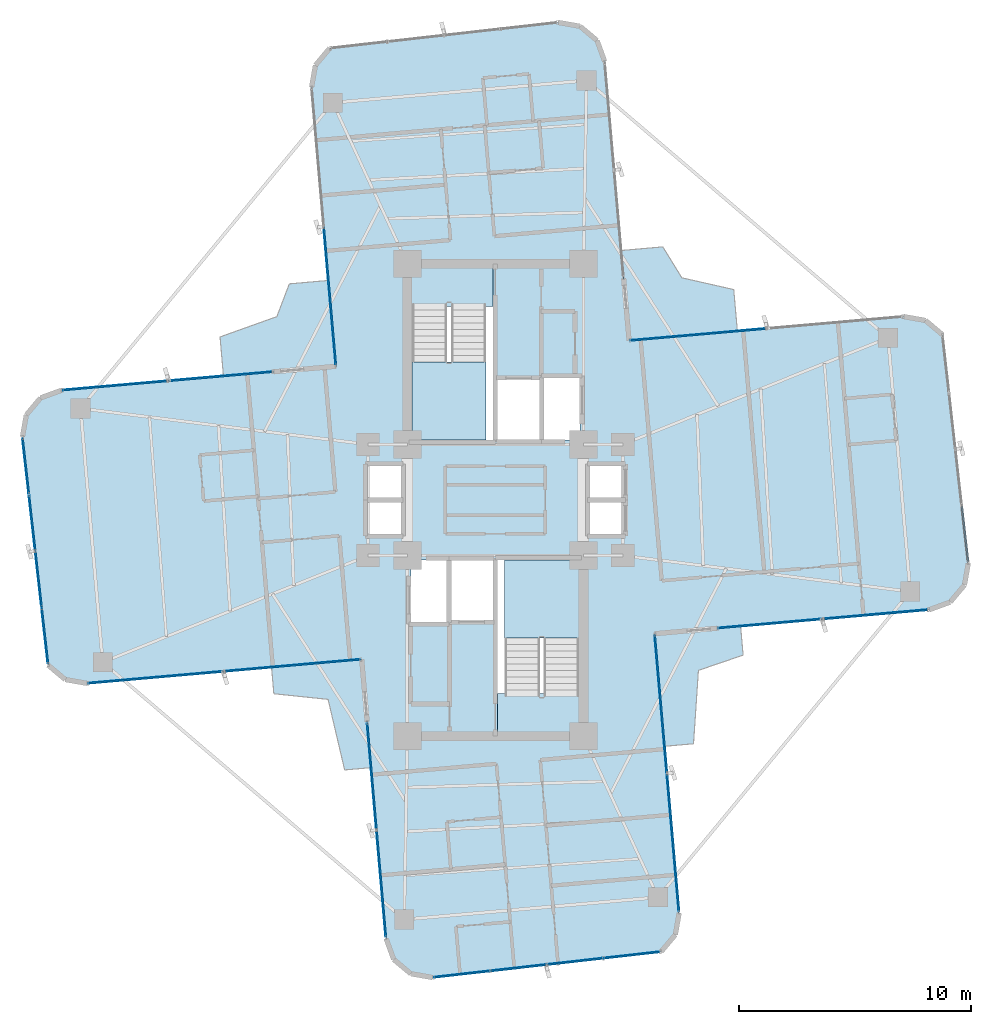
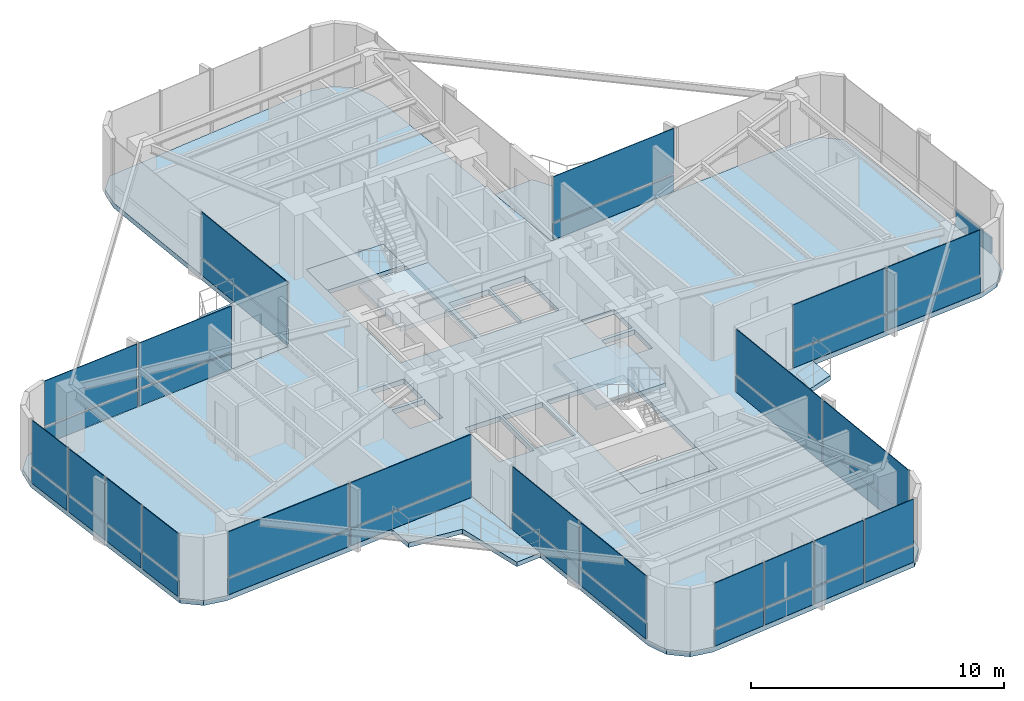
# One storey, part 19 of 24: 41 plates, 9 slabs, 12 elements without a shape of their own.
"""IFC4 building model written with IfcOpenShell, lengths in metres."""

from ifc_helpers import new_model, si_unit, direction, frame, origin, origin_2d, place, context, subcontext, project, spatial, polyline, rectangle, outline, extrude, source, transform, mapped, material, layer, layer_set, type_object, element, aggregate, save


model = new_model("IFC4")

# Units and contexts
model_context = context("Model", 3, precision=1e-05, world=origin(), true_north=direction((0.0, 1.0)))
body_context = subcontext(model_context, "Body", "Model", "MODEL_VIEW")
ifc_project = project(units=[si_unit("LENGTHUNIT", "METRE"), si_unit("AREAUNIT", "SQUARE_METRE"), si_unit("VOLUMEUNIT", "CUBIC_METRE"), si_unit("PLANEANGLEUNIT", "RADIAN"), si_unit("MASSUNIT", "GRAM", prefix="KILO")], contexts=[model_context])

# Site, building, storey
site_placement = place(None, origin())
site = spatial("IfcSite", under=ifc_project, at=site_placement, CompositionType="ELEMENT")
building_placement = place(site_placement, origin())
building = spatial("IfcBuilding", under=site, at=building_placement, Name="Sahyath Konkavel Grand Hotel", CompositionType="ELEMENT")
storey_placement = place(building_placement, frame((0.0, 0.0, 157.300048828125)))
storey = spatial("IfcBuildingStorey", under=building, at=storey_placement, Name="L43", CompositionType="ELEMENT", Elevation=157.300048828125)

# Slabs
ifc_material_1 = material(Name="Concrete C40/50", Category="concrete")
ifc_layer_1 = layer(ifc_material_1, 0.239990234375)
ifc_layer_set_1 = layer_set([ifc_layer_1], Name="Concrete C40/50")
slab_type_1 = type_object("IfcSlabType", Name="SLB-240", PredefinedType="FLOOR", material=ifc_layer_set_1)
slab_1_placement = place(storey_placement, frame((0.0, 0.0, -0.239990234375)))
element("IfcSlab", 1, at=slab_1_placement, inside=storey, type_object=slab_type_1, Name="L43 Structural Floor Slab", PredefinedType="FLOOR", context=body_context, shape_type="SweptSolid", body=[
    extrude(outline(polyline([(6.87939453125, -5.7724609375), (18.73388671875, -4.735107421875), (19.6337890625, -4.40771484375), (20.24951171875, -3.674072265625), (20.415771484375, -2.73095703125), (19.3037109375, 7.134521484375), (18.5703125, 7.75), (17.627197265625, 7.91650390625), (5.7724609375, 6.87939453125), (4.7177734375, 18.93310546875), (4.390380859375, 19.8330078125), (3.65673828125, 20.44873046875), (2.713623046875, 20.614990234375), (-7.152099609375, 19.5029296875), (-7.767578125, 18.769287109375), (-7.933837890625, 17.826416015625), (-6.87939453125, 5.7724609375), (-18.73388671875, 4.735107421875), (-19.6337890625, 4.40771484375), (-20.24951171875, 3.674072265625), (-20.415771484375, 2.73095703125), (-19.3037109375, -7.134521484375), (-18.5703125, -7.75), (-17.627197265625, -7.91650390625), (-5.7724609375, -6.87939453125), (-4.7177734375, -18.93310546875), (-4.390380859375, -19.8330078125), (-3.65673828125, -20.44873046875), (-2.713623046875, -20.614990234375), (7.152099609375, -19.5029296875), (7.767578125, -18.769287109375), (7.933837890625, -17.826416015625), (6.87939453125, -5.7724609375)]), holes=[polyline([(-3.6201171875, 2.580078125), (-0.10009765625, 2.580078125), (-0.10009765625, 10.02001953125), (-3.6201171875, 10.02001953125), (-3.6201171875, 2.580078125)]), polyline([(0.10009765625, -10.02001953125), (3.6201171875, -10.02001953125), (3.6201171875, -2.580078125), (0.10009765625, -2.580078125), (0.10009765625, -10.02001953125)]), polyline([(0.10009765625, 2.60009765625), (1.949951171875, 2.60009765625), (1.949951171875, 5.199951171875), (0.10009765625, 5.199951171875), (0.10009765625, 2.60009765625)]), polyline([(-1.949951171875, -5.199951171875), (-0.10009765625, -5.199951171875), (-0.10009765625, -2.60009765625), (-1.949951171875, -2.60009765625), (-1.949951171875, -5.199951171875)]), polyline([(2.050048828125, 2.60009765625), (3.64990234375, 2.60009765625), (3.64990234375, 5.300048828125), (2.050048828125, 5.300048828125), (2.050048828125, 2.60009765625)]), polyline([(-3.64990234375, -5.300048828125), (-2.050048828125, -5.300048828125), (-2.050048828125, -2.60009765625), (-3.64990234375, -2.60009765625), (-3.64990234375, -5.300048828125)]), polyline([(4.050048828125, 0.080078125), (5.550048828125, 0.080078125), (5.550048828125, 1.5400390625), (4.050048828125, 1.5400390625), (4.050048828125, 0.080078125)]), polyline([(4.050048828125, -1.5400390625), (5.550048828125, -1.5400390625), (5.550048828125, -0.080078125), (4.050048828125, -0.080078125), (4.050048828125, -1.5400390625)]), polyline([(-5.550048828125, 0.080078125), (-4.050048828125, 0.080078125), (-4.050048828125, 1.5400390625), (-5.550048828125, 1.5400390625), (-5.550048828125, 0.080078125)]), polyline([(-5.550048828125, -1.5400390625), (-4.050048828125, -1.5400390625), (-4.050048828125, -0.080078125), (-5.550048828125, -0.080078125), (-5.550048828125, -1.5400390625)])]), origin(), (0.0, 0.0, 1.0), 0.239990234375),
])
ifc_layer_2 = layer(ifc_material_1, 0.219970703125)
ifc_layer_set_2 = layer_set([ifc_layer_2], Name="Concrete C40/50")
slab_type_2 = type_object("IfcSlabType", Name="SLB-BALCONY-220", PredefinedType="FLOOR", material=ifc_layer_set_2)
slab_2_placement = place(storey_placement, frame((0.0, 0.0, -0.219970703125)))
element("IfcSlab", 2, at=slab_2_placement, inside=storey, type_object=slab_type_2, Name="L43 Winter-Garden Balcony NE", PredefinedType="FLOOR", context=body_context, shape_type="SweptSolid", body=[
    extrude(outline(polyline([(5.7724609375, 6.87939453125), (10.447509765625, 7.288330078125), (10.290283203125, 9.0849609375), (8.049560546875, 9.593017578125), (7.228515625, 10.9287109375), (5.431884765625, 10.771484375), (5.7724609375, 6.87939453125)])), origin(), (0.0, 0.0, 1.0), 0.219970703125),
])
slab_3_placement = place(storey_placement, frame((0.0, 0.0, -0.219970703125)))
element("IfcSlab", 3, at=slab_3_placement, inside=storey, type_object=slab_type_2, Name="L43 Winter-Garden Balcony NW", PredefinedType="FLOOR", context=body_context, shape_type="SweptSolid", body=[
    extrude(outline(polyline([(-6.87939453125, 5.7724609375), (-7.20361328125, 9.479248046875), (-8.8955078125, 9.331298828125), (-9.434814453125, 7.916748046875), (-11.8876953125, 7.039306640625), (-11.73974609375, 5.34716796875), (-6.87939453125, 5.7724609375)])), origin(), (0.0, 0.0, 1.0), 0.219970703125),
])
slab_4_placement = place(storey_placement, frame((0.0, 0.0, -0.219970703125)))
element("IfcSlab", 4, at=slab_4_placement, inside=storey, type_object=slab_type_2, Name="L43 Winter-Garden Balcony SW", PredefinedType="FLOOR", context=body_context, shape_type="SweptSolid", body=[
    extrude(outline(polyline([(-5.7724609375, -6.87939453125), (-9.66455078125, -7.2197265625), (-9.564453125, -8.36376953125), (-7.222412109375, -8.607177734375), (-6.50732421875, -11.654541015625), (-5.36328125, -11.554443359375), (-5.7724609375, -6.87939453125)])), origin(), (0.0, 0.0, 1.0), 0.219970703125),
])
slab_5_placement = place(storey_placement, frame((0.0, 0.0, -0.219970703125)))
element("IfcSlab", 5, at=slab_5_placement, inside=storey, type_object=slab_type_2, Name="L43 Winter-Garden Balcony SE", PredefinedType="FLOOR", context=body_context, shape_type="SweptSolid", body=[
    extrude(outline(polyline([(6.87939453125, -5.7724609375), (7.304443359375, -10.6328125), (8.55322265625, -10.523681640625), (8.765380859375, -7.35498046875), (10.6953125, -6.69677734375), (10.586181640625, -5.447998046875), (6.87939453125, -5.7724609375)])), origin(), (0.0, 0.0, 1.0), 0.219970703125),
])

# Stair, slab
stair_type = type_object("IfcStairType", Name="STR-ST16-335", PredefinedType="HALF_TURN_STAIR", material=ifc_material_1)
stair_1_placement = place(storey_placement, origin())
stair_1 = element("IfcStair", 6, at=stair_1_placement, inside=storey, type_object=stair_type, Name="L43 North Core Smokeproof Exit Stair ST-1", PredefinedType="HALF_TURN_STAIR")
ifc_layer_3 = layer(ifc_material_1, 0.199951171875)
ifc_layer_set_3 = layer_set([ifc_layer_3], Name="Concrete C40/50")
slab_type_3 = type_object("IfcSlabType", Name="SLB-STAIR-LND", PredefinedType="LANDING", material=ifc_layer_set_3)
slab_6_placement = place(storey_placement, frame((0.0, 0.0, 1.474853515625)))
slab_6 = element("IfcSlab", 7, at=slab_6_placement, type_object=slab_type_3, Name="ST-1 landing 1", PredefinedType="LANDING", context=body_context, shape_type="SweptSolid", body=[
    extrude(outline(polyline([(-3.60009765625, 5.9599609375), (-3.60009765625, 2.60009765625), (-0.39990234375, 2.60009765625), (-0.39990234375, 5.9599609375), (-3.60009765625, 5.9599609375)])), origin(), (0.0, 0.0, 1.0), 0.2001953125),
])
aggregate(stair_1, [slab_6])

stair_2_placement = place(storey_placement, origin())
stair_2 = element("IfcStair", 8, at=stair_2_placement, inside=storey, type_object=stair_type, Name="L43 South Core Smokeproof Exit Stair ST-2", PredefinedType="HALF_TURN_STAIR")
slab_7_placement = place(storey_placement, frame((0.0, 0.0, 1.474853515625)))
slab_7 = element("IfcSlab", 9, at=slab_7_placement, type_object=slab_type_3, Name="ST-2 landing 1", PredefinedType="LANDING", context=body_context, shape_type="SweptSolid", body=[
    extrude(outline(polyline([(3.60009765625, -5.9599609375), (3.60009765625, -2.60009765625), (0.39990234375, -2.60009765625), (0.39990234375, -5.9599609375), (3.60009765625, -5.9599609375)])), origin(), (0.0, 0.0, 1.0), 0.2001953125),
])
aggregate(stair_2, [slab_7])

# Slabs
slab_8_placement = place(storey_placement, frame((0.0, 0.0, -0.199951171875)))
element("IfcSlab", 10, at=slab_8_placement, inside=storey, type_object=slab_type_3, Name="L43 Stair ST-1 Floor Landing Slab", PredefinedType="LANDING", context=body_context, shape_type="SweptSolid", body=[
    extrude(outline(polyline([(-3.6201171875, 8.35009765625), (-0.10009765625, 8.35009765625), (-0.10009765625, 10.02001953125), (-3.6201171875, 10.02001953125), (-3.6201171875, 8.35009765625)])), origin(), (0.0, 0.0, 1.0), 0.199951171875),
])
slab_9_placement = place(storey_placement, frame((0.0, 0.0, -0.199951171875)))
element("IfcSlab", 11, at=slab_9_placement, inside=storey, type_object=slab_type_3, Name="L43 Stair ST-2 Floor Landing Slab", PredefinedType="LANDING", context=body_context, shape_type="SweptSolid", body=[
    extrude(outline(polyline([(0.10009765625, -10.02001953125), (3.6201171875, -10.02001953125), (3.6201171875, -8.35009765625), (0.10009765625, -8.35009765625), (0.10009765625, -10.02001953125)])), origin(), (0.0, 0.0, 1.0), 0.199951171875),
])

# Curtain wall, plates
ifc_material_2 = material(Name="Anodised Bronze Aluminium & Low-E Glazing", Category="aluminium")
curtain_wall_type = type_object("IfcCurtainWallType", Name="CW-ZONE3", PredefinedType="NOTDEFINED", material=ifc_material_2)
curtain_wall_1_placement = place(storey_placement, origin())
curtain_wall_1 = element("IfcCurtainWall", 12, at=curtain_wall_1_placement, inside=storey, type_object=curtain_wall_type, Name="L43 Unitised Curtain Wall F0", PredefinedType="NOTDEFINED")
ifc_material_3 = material(Name="Warm Buff Sandstone Cladding", Category="masonry")
ifc_layer_4 = layer(ifc_material_3, 0.074951171875)
ifc_layer_set_4 = layer_set([ifc_layer_4], Name="Warm Buff Sandstone Cladding")
plate_type_1 = type_object("IfcPlateType", Name="PNL-SPANDREL-STONE", PredefinedType="SHEET", material=ifc_layer_set_4)
shared_shape_1 = source(origin(), body_context, "Body", "SweptSolid", [
    extrude(rectangle(XDim=4.47998046875, YDim=0.074951171875, at=origin_2d()), origin(), (0.0, 0.0, 1.0), 0.77001953125),
])
plate_1_placement = place(storey_placement, frame((11.880126953125, -5.334716796875, 0.0400390625), z_axis=(0.0, 0.0, 1.0), x_axis=(0.996194698092, 0.087155742748, 0.0)))
plate_1 = element("IfcPlate", 13, at=plate_1_placement, type_object=plate_type_1, Name="L43 Sandstone Relief Spandrel Panel F0-0", PredefinedType="SHEET", context=body_context, shape_type="MappedRepresentation", body=[
    mapped(shared_shape_1, transform((0.0, 0.0, 0.0), scale=1.0)),
])
plate_2_placement = place(storey_placement, frame((16.4228515625, -4.9375, 0.0400390625), z_axis=(0.0, 0.0, 1.0), x_axis=(0.996194698092, 0.087155742748, 0.0)))
plate_2 = element("IfcPlate", 14, at=plate_2_placement, type_object=plate_type_1, Name="L43 Sandstone Relief Spandrel Panel F0-1", PredefinedType="SHEET", context=body_context, shape_type="MappedRepresentation", body=[
    mapped(shared_shape_1, transform((0.0, 0.0, 0.0), scale=1.0)),
])

curtain_wall_2_placement = place(storey_placement, origin())
curtain_wall_2 = element("IfcCurtainWall", 15, at=curtain_wall_2_placement, inside=storey, type_object=curtain_wall_type, Name="L43 Unitised Curtain Wall F16", PredefinedType="NOTDEFINED")
plate_3_placement = place(storey_placement, frame((-11.880126953125, 5.334716796875, 0.0400390625), z_axis=(0.0, 0.0, 1.0), x_axis=(-0.996194698092, -0.087155742748, 0.0)))
plate_3 = element("IfcPlate", 16, at=plate_3_placement, type_object=plate_type_1, Name="L43 Sandstone Relief Spandrel Panel F16-0", PredefinedType="SHEET", context=body_context, shape_type="MappedRepresentation", body=[
    mapped(shared_shape_1, transform((0.0, 0.0, 0.0), scale=1.0)),
])
plate_4_placement = place(storey_placement, frame((-16.4228515625, 4.9375, 0.0400390625), z_axis=(0.0, 0.0, 1.0), x_axis=(-0.996194698092, -0.087155742748, 0.0)))
plate_4 = element("IfcPlate", 17, at=plate_4_placement, type_object=plate_type_1, Name="L43 Sandstone Relief Spandrel Panel F16-1", PredefinedType="SHEET", context=body_context, shape_type="MappedRepresentation", body=[
    mapped(shared_shape_1, transform((0.0, 0.0, 0.0), scale=1.0)),
])

# Curtain wall, plate
curtain_wall_3_placement = place(storey_placement, origin())
curtain_wall_3 = element("IfcCurtainWall", 18, at=curtain_wall_3_placement, inside=storey, type_object=curtain_wall_type, Name="L43 Unitised Curtain Wall F4", PredefinedType="NOTDEFINED")
shared_shape_2 = source(origin(), body_context, "Body", "SweptSolid", [
    extrude(rectangle(XDim=2.382080078125, YDim=0.074951171875, at=origin_2d()), origin(), (0.0, 0.0, 1.0), 0.77001953125),
])
plate_5_placement = place(storey_placement, frame((20.2734375, -1.468017578125, 0.0400390625), z_axis=(0.0, 0.0, 1.0), x_axis=(-0.111989252568, 0.993709417943, 0.0)))
plate_5 = element("IfcPlate", 19, at=plate_5_placement, type_object=plate_type_1, Name="L43 Sandstone Relief Spandrel Panel F4-0", PredefinedType="SHEET", context=body_context, shape_type="MappedRepresentation", body=[
    mapped(shared_shape_2, transform((0.0, 0.0, 0.0), scale=1.0)),
])
aggregate(curtain_wall_3, [plate_5])

# Curtain wall, plates
curtain_wall_4_placement = place(storey_placement, origin())
curtain_wall_4 = element("IfcCurtainWall", 20, at=curtain_wall_4_placement, inside=storey, type_object=curtain_wall_type, Name="L43 Unitised Curtain Wall F20", PredefinedType="NOTDEFINED")
plate_6_placement = place(storey_placement, frame((-20.2734375, 1.468017578125, 0.0400390625), z_axis=(0.0, 0.0, 1.0), x_axis=(0.111989252568, -0.993709417943, 0.0)))
plate_6 = element("IfcPlate", 21, at=plate_6_placement, type_object=plate_type_1, Name="L43 Sandstone Relief Spandrel Panel F20-0", PredefinedType="SHEET", context=body_context, shape_type="MappedRepresentation", body=[
    mapped(shared_shape_2, transform((0.0, 0.0, 0.0), scale=1.0)),
])
plate_7_placement = place(storey_placement, frame((-19.99755859375, -0.978515625, 0.0400390625), z_axis=(0.0, 0.0, 1.0), x_axis=(0.111989252568, -0.993709417943, 0.0)))
plate_7 = element("IfcPlate", 22, at=plate_7_placement, type_object=plate_type_1, Name="L43 Sandstone Relief Spandrel Panel F20-1", PredefinedType="SHEET", context=body_context, shape_type="MappedRepresentation", body=[
    mapped(shared_shape_2, transform((0.0, 0.0, 0.0), scale=1.0)),
])
plate_8_placement = place(storey_placement, frame((-19.7216796875, -3.425048828125, 0.0400390625), z_axis=(0.0, 0.0, 1.0), x_axis=(0.111989252568, -0.993709417943, 0.0)))
plate_8 = element("IfcPlate", 23, at=plate_8_placement, type_object=plate_type_1, Name="L43 Sandstone Relief Spandrel Panel F20-2", PredefinedType="SHEET", context=body_context, shape_type="MappedRepresentation", body=[
    mapped(shared_shape_2, transform((0.0, 0.0, 0.0), scale=1.0)),
])
plate_9_placement = place(storey_placement, frame((-19.446044921875, -5.87158203125, 0.0400390625), z_axis=(0.0, 0.0, 1.0), x_axis=(0.111989252568, -0.993709417943, 0.0)))
plate_9 = element("IfcPlate", 24, at=plate_9_placement, type_object=plate_type_1, Name="L43 Sandstone Relief Spandrel Panel F20-3", PredefinedType="SHEET", context=body_context, shape_type="MappedRepresentation", body=[
    mapped(shared_shape_2, transform((0.0, 0.0, 0.0), scale=1.0)),
])

curtain_wall_5_placement = place(storey_placement, origin())
curtain_wall_5 = element("IfcCurtainWall", 25, at=curtain_wall_5_placement, inside=storey, type_object=curtain_wall_type, Name="L43 Unitised Curtain Wall F28", PredefinedType="NOTDEFINED")
plate_10_placement = place(storey_placement, frame((-1.45068359375, -20.47265625, 0.0400390625), z_axis=(0.0, 0.0, 1.0), x_axis=(0.993707463211, 0.112006596052, 0.0)))
plate_10 = element("IfcPlate", 26, at=plate_10_placement, type_object=plate_type_1, Name="L43 Sandstone Relief Spandrel Panel F28-0", PredefinedType="SHEET", context=body_context, shape_type="MappedRepresentation", body=[
    mapped(shared_shape_2, transform((0.0, 0.0, 0.0), scale=1.0)),
])
plate_11_placement = place(storey_placement, frame((0.995849609375, -20.197021484375, 0.0400390625), z_axis=(0.0, 0.0, 1.0), x_axis=(0.993707463211, 0.112006596052, 0.0)))
plate_11 = element("IfcPlate", 27, at=plate_11_placement, type_object=plate_type_1, Name="L43 Sandstone Relief Spandrel Panel F28-1", PredefinedType="SHEET", context=body_context, shape_type="MappedRepresentation", body=[
    mapped(shared_shape_2, transform((0.0, 0.0, 0.0), scale=1.0)),
])
plate_12_placement = place(storey_placement, frame((3.4423828125, -19.921142578125, 0.0400390625), z_axis=(0.0, 0.0, 1.0), x_axis=(0.993707463211, 0.112006596052, 0.0)))
plate_12 = element("IfcPlate", 28, at=plate_12_placement, type_object=plate_type_1, Name="L43 Sandstone Relief Spandrel Panel F28-2", PredefinedType="SHEET", context=body_context, shape_type="MappedRepresentation", body=[
    mapped(shared_shape_2, transform((0.0, 0.0, 0.0), scale=1.0)),
])
plate_13_placement = place(storey_placement, frame((5.888916015625, -19.6455078125, 0.0400390625), z_axis=(0.0, 0.0, 1.0), x_axis=(0.993707463211, 0.112006596052, 0.0)))
plate_13 = element("IfcPlate", 29, at=plate_13_placement, type_object=plate_type_1, Name="L43 Sandstone Relief Spandrel Panel F28-3", PredefinedType="SHEET", context=body_context, shape_type="MappedRepresentation", body=[
    mapped(shared_shape_2, transform((0.0, 0.0, 0.0), scale=1.0)),
])

# Curtain wall, plate
curtain_wall_6_placement = place(storey_placement, origin())
curtain_wall_6 = element("IfcCurtainWall", 30, at=curtain_wall_6_placement, inside=storey, type_object=curtain_wall_type, Name="L43 Unitised Curtain Wall F7", PredefinedType="NOTDEFINED")
shared_shape_3 = source(origin(), body_context, "Body", "SweptSolid", [
    extrude(rectangle(XDim=5.830078125, YDim=0.074951171875, at=origin_2d()), origin(), (0.0, 0.0, 1.0), 0.77001953125),
])
plate_14_placement = place(storey_placement, frame((8.756103515625, 7.140380859375, 0.0400390625), z_axis=(0.0, 0.0, 1.0), x_axis=(-0.996194698092, -0.087155742748, 0.0)))
plate_14 = element("IfcPlate", 31, at=plate_14_placement, type_object=plate_type_1, Name="L43 Sandstone Relief Spandrel Panel F7-1", PredefinedType="SHEET", context=body_context, shape_type="MappedRepresentation", body=[
    mapped(shared_shape_3, transform((0.0, 0.0, 0.0), scale=1.0)),
])

# Curtain wall, plates
curtain_wall_7_placement = place(storey_placement, origin())
curtain_wall_7 = element("IfcCurtainWall", 32, at=curtain_wall_7_placement, inside=storey, type_object=curtain_wall_type, Name="L43 Unitised Curtain Wall F23", PredefinedType="NOTDEFINED")
plate_15_placement = place(storey_placement, frame((-14.6435546875, -7.655517578125, 0.0400390625), z_axis=(0.0, 0.0, 1.0), x_axis=(0.996194698092, 0.087155742748, 0.0)))
plate_15 = element("IfcPlate", 33, at=plate_15_placement, type_object=plate_type_1, Name="L43 Sandstone Relief Spandrel Panel F23-0", PredefinedType="SHEET", context=body_context, shape_type="MappedRepresentation", body=[
    mapped(shared_shape_3, transform((0.0, 0.0, 0.0), scale=1.0)),
])
plate_16_placement = place(storey_placement, frame((-8.756103515625, -7.140380859375, 0.0400390625), z_axis=(0.0, 0.0, 1.0), x_axis=(0.996194698092, 0.087155742748, 0.0)))
plate_16 = element("IfcPlate", 34, at=plate_16_placement, type_object=plate_type_1, Name="L43 Sandstone Relief Spandrel Panel F23-1", PredefinedType="SHEET", context=body_context, shape_type="MappedRepresentation", body=[
    mapped(shared_shape_3, transform((0.0, 0.0, 0.0), scale=1.0)),
])

curtain_wall_8_placement = place(storey_placement, origin())
curtain_wall_8 = element("IfcCurtainWall", 35, at=curtain_wall_8_placement, inside=storey, type_object=curtain_wall_type, Name="L43 Unitised Curtain Wall F24", PredefinedType="NOTDEFINED")
shared_shape_4 = source(origin(), body_context, "Body", "SweptSolid", [
    extrude(rectangle(XDim=4.580078125, YDim=0.074951171875, at=origin_2d()), origin(), (0.0, 0.0, 1.0), 0.77001953125),
])
plate_17_placement = place(storey_placement, frame((-5.33056640625, -11.929931640625, 0.0400390625), z_axis=(0.0, 0.0, 1.0), x_axis=(0.087155742748, -0.996194698092, 0.0)))
plate_17 = element("IfcPlate", 36, at=plate_17_placement, type_object=plate_type_1, Name="L43 Sandstone Relief Spandrel Panel F24-0", PredefinedType="SHEET", context=body_context, shape_type="MappedRepresentation", body=[
    mapped(shared_shape_4, transform((0.0, 0.0, 0.0), scale=1.0)),
])
plate_18_placement = place(storey_placement, frame((-4.92431640625, -16.572265625, 0.0400390625), z_axis=(0.0, 0.0, 1.0), x_axis=(0.087155742748, -0.996194698092, 0.0)))
plate_18 = element("IfcPlate", 37, at=plate_18_placement, type_object=plate_type_1, Name="L43 Sandstone Relief Spandrel Panel F24-1", PredefinedType="SHEET", context=body_context, shape_type="MappedRepresentation", body=[
    mapped(shared_shape_4, transform((0.0, 0.0, 0.0), scale=1.0)),
])

# Curtain wall, plate
curtain_wall_9_placement = place(storey_placement, origin())
curtain_wall_9 = element("IfcCurtainWall", 38, at=curtain_wall_9_placement, inside=storey, type_object=curtain_wall_type, Name="L43 Unitised Curtain Wall F15", PredefinedType="NOTDEFINED")
shared_shape_5 = source(origin(), body_context, "Body", "SweptSolid", [
    extrude(rectangle(XDim=5.929931640625, YDim=0.074951171875, at=origin_2d()), origin(), (0.0, 0.0, 1.0), 0.77001953125),
])
plate_19_placement = place(storey_placement, frame((-7.144775390625, 8.805908203125, 0.0400390625), z_axis=(0.0, 0.0, 1.0), x_axis=(0.087155742748, -0.996194698092, 0.0)))
plate_19 = element("IfcPlate", 39, at=plate_19_placement, type_object=plate_type_1, Name="L43 Sandstone Relief Spandrel Panel F15-1", PredefinedType="SHEET", context=body_context, shape_type="MappedRepresentation", body=[
    mapped(shared_shape_5, transform((0.0, 0.0, 0.0), scale=1.0)),
])

# Curtain wall, plates
curtain_wall_10_placement = place(storey_placement, origin())
curtain_wall_10 = element("IfcCurtainWall", 40, at=curtain_wall_10_placement, inside=storey, type_object=curtain_wall_type, Name="L43 Unitised Curtain Wall F31", PredefinedType="NOTDEFINED")
plate_20_placement = place(storey_placement, frame((7.66845703125, -14.79296875, 0.0400390625), z_axis=(0.0, 0.0, 1.0), x_axis=(-0.087155742748, 0.996194698092, 0.0)))
plate_20 = element("IfcPlate", 41, at=plate_20_placement, type_object=plate_type_1, Name="L43 Sandstone Relief Spandrel Panel F31-0", PredefinedType="SHEET", context=body_context, shape_type="MappedRepresentation", body=[
    mapped(shared_shape_5, transform((0.0, 0.0, 0.0), scale=1.0)),
])
plate_21_placement = place(storey_placement, frame((7.144775390625, -8.805908203125, 0.0400390625), z_axis=(0.0, 0.0, 1.0), x_axis=(-0.087155742748, 0.996194698092, 0.0)))
plate_21 = element("IfcPlate", 42, at=plate_21_placement, type_object=plate_type_1, Name="L43 Sandstone Relief Spandrel Panel F31-1", PredefinedType="SHEET", context=body_context, shape_type="MappedRepresentation", body=[
    mapped(shared_shape_5, transform((0.0, 0.0, 0.0), scale=1.0)),
])

# Plate
ifc_material_4 = material(Name="Low-E Solar Control Double Glazing", Category="glass")
ifc_layer_5 = layer(ifc_material_4, 0.035888671875)
ifc_layer_set_5 = layer_set([ifc_layer_5], Name="Low-E Solar Control Double Glazing")
plate_type_2 = type_object("IfcPlateType", Name="PNL-VISION-LOWE", PredefinedType="CURTAIN_PANEL", material=ifc_layer_set_5)
shared_shape_6 = source(origin(), body_context, "Body", "SweptSolid", [
    extrude(rectangle(XDim=4.47998046875, YDim=0.035888671875, at=origin_2d()), origin(), (0.0, 0.0, 1.0), 2.179931640625),
])
plate_22_placement = place(storey_placement, frame((11.880126953125, -5.334716796875, 0.89013671875), z_axis=(0.0, 0.0, 1.0), x_axis=(0.996194698092, 0.087155742748, 0.0)))
plate_22 = element("IfcPlate", 43, at=plate_22_placement, type_object=plate_type_2, Name="L43 Low-E Vision Glazing Panel F0-0", PredefinedType="CURTAIN_PANEL", context=body_context, shape_type="MappedRepresentation", body=[
    mapped(shared_shape_6, transform((0.0, 0.0, 0.0), scale=1.0)),
])

plate_23_placement = place(storey_placement, frame((16.4228515625, -4.9375, 0.89013671875), z_axis=(0.0, 0.0, 1.0), x_axis=(0.996194698092, 0.087155742748, 0.0)))
plate_23 = element("IfcPlate", 44, at=plate_23_placement, type_object=plate_type_2, Name="L43 Low-E Vision Glazing Panel F0-1", PredefinedType="CURTAIN_PANEL", context=body_context, shape_type="MappedRepresentation", body=[
    mapped(shared_shape_6, transform((0.0, 0.0, 0.0), scale=1.0)),
])

aggregate(curtain_wall_1, [plate_1, plate_22, plate_2, plate_23])

plate_24_placement = place(storey_placement, frame((-11.880126953125, 5.334716796875, 0.89013671875), z_axis=(0.0, 0.0, 1.0), x_axis=(-0.996194698092, -0.087155742748, 0.0)))
plate_24 = element("IfcPlate", 45, at=plate_24_placement, type_object=plate_type_2, Name="L43 Low-E Vision Glazing Panel F16-0", PredefinedType="CURTAIN_PANEL", context=body_context, shape_type="MappedRepresentation", body=[
    mapped(shared_shape_6, transform((0.0, 0.0, 0.0), scale=1.0)),
])

plate_25_placement = place(storey_placement, frame((-16.4228515625, 4.9375, 0.89013671875), z_axis=(0.0, 0.0, 1.0), x_axis=(-0.996194698092, -0.087155742748, 0.0)))
plate_25 = element("IfcPlate", 46, at=plate_25_placement, type_object=plate_type_2, Name="L43 Low-E Vision Glazing Panel F16-1", PredefinedType="CURTAIN_PANEL", context=body_context, shape_type="MappedRepresentation", body=[
    mapped(shared_shape_6, transform((0.0, 0.0, 0.0), scale=1.0)),
])

aggregate(curtain_wall_2, [plate_3, plate_24, plate_4, plate_25])

shared_shape_7 = source(origin(), body_context, "Body", "SweptSolid", [
    extrude(rectangle(XDim=2.382080078125, YDim=0.035888671875, at=origin_2d()), origin(), (0.0, 0.0, 1.0), 2.179931640625),
])
plate_26_placement = place(storey_placement, frame((-20.2734375, 1.468017578125, 0.89013671875), z_axis=(0.0, 0.0, 1.0), x_axis=(0.111989252568, -0.993709417943, 0.0)))
plate_26 = element("IfcPlate", 47, at=plate_26_placement, type_object=plate_type_2, Name="L43 Low-E Vision Glazing Panel F20-0", PredefinedType="CURTAIN_PANEL", context=body_context, shape_type="MappedRepresentation", body=[
    mapped(shared_shape_7, transform((0.0, 0.0, 0.0), scale=1.0)),
])

plate_27_placement = place(storey_placement, frame((-19.99755859375, -0.978515625, 0.89013671875), z_axis=(0.0, 0.0, 1.0), x_axis=(0.111989252568, -0.993709417943, 0.0)))
plate_27 = element("IfcPlate", 48, at=plate_27_placement, type_object=plate_type_2, Name="L43 Low-E Vision Glazing Panel F20-1", PredefinedType="CURTAIN_PANEL", context=body_context, shape_type="MappedRepresentation", body=[
    mapped(shared_shape_7, transform((0.0, 0.0, 0.0), scale=1.0)),
])

plate_28_placement = place(storey_placement, frame((-19.7216796875, -3.425048828125, 0.89013671875), z_axis=(0.0, 0.0, 1.0), x_axis=(0.111989252568, -0.993709417943, 0.0)))
plate_28 = element("IfcPlate", 49, at=plate_28_placement, type_object=plate_type_2, Name="L43 Low-E Vision Glazing Panel F20-2", PredefinedType="CURTAIN_PANEL", context=body_context, shape_type="MappedRepresentation", body=[
    mapped(shared_shape_7, transform((0.0, 0.0, 0.0), scale=1.0)),
])

plate_29_placement = place(storey_placement, frame((-19.446044921875, -5.87158203125, 0.89013671875), z_axis=(0.0, 0.0, 1.0), x_axis=(0.111989252568, -0.993709417943, 0.0)))
plate_29 = element("IfcPlate", 50, at=plate_29_placement, type_object=plate_type_2, Name="L43 Low-E Vision Glazing Panel F20-3", PredefinedType="CURTAIN_PANEL", context=body_context, shape_type="MappedRepresentation", body=[
    mapped(shared_shape_7, transform((0.0, 0.0, 0.0), scale=1.0)),
])

aggregate(curtain_wall_4, [plate_6, plate_26, plate_7, plate_27, plate_8, plate_28, plate_9, plate_29])

plate_30_placement = place(storey_placement, frame((-1.45068359375, -20.47265625, 0.89013671875), z_axis=(0.0, 0.0, 1.0), x_axis=(0.993707463211, 0.112006596052, 0.0)))
plate_30 = element("IfcPlate", 51, at=plate_30_placement, type_object=plate_type_2, Name="L43 Low-E Vision Glazing Panel F28-0", PredefinedType="CURTAIN_PANEL", context=body_context, shape_type="MappedRepresentation", body=[
    mapped(shared_shape_7, transform((0.0, 0.0, 0.0), scale=1.0)),
])

plate_31_placement = place(storey_placement, frame((0.995849609375, -20.197021484375, 0.89013671875), z_axis=(0.0, 0.0, 1.0), x_axis=(0.993707463211, 0.112006596052, 0.0)))
plate_31 = element("IfcPlate", 52, at=plate_31_placement, type_object=plate_type_2, Name="L43 Low-E Vision Glazing Panel F28-1", PredefinedType="CURTAIN_PANEL", context=body_context, shape_type="MappedRepresentation", body=[
    mapped(shared_shape_7, transform((0.0, 0.0, 0.0), scale=1.0)),
])

plate_32_placement = place(storey_placement, frame((3.4423828125, -19.921142578125, 0.89013671875), z_axis=(0.0, 0.0, 1.0), x_axis=(0.993707463211, 0.112006596052, 0.0)))
plate_32 = element("IfcPlate", 53, at=plate_32_placement, type_object=plate_type_2, Name="L43 Low-E Vision Glazing Panel F28-2", PredefinedType="CURTAIN_PANEL", context=body_context, shape_type="MappedRepresentation", body=[
    mapped(shared_shape_7, transform((0.0, 0.0, 0.0), scale=1.0)),
])

plate_33_placement = place(storey_placement, frame((5.888916015625, -19.6455078125, 0.89013671875), z_axis=(0.0, 0.0, 1.0), x_axis=(0.993707463211, 0.112006596052, 0.0)))
plate_33 = element("IfcPlate", 54, at=plate_33_placement, type_object=plate_type_2, Name="L43 Low-E Vision Glazing Panel F28-3", PredefinedType="CURTAIN_PANEL", context=body_context, shape_type="MappedRepresentation", body=[
    mapped(shared_shape_7, transform((0.0, 0.0, 0.0), scale=1.0)),
])

aggregate(curtain_wall_5, [plate_10, plate_30, plate_11, plate_31, plate_12, plate_32, plate_13, plate_33])

shared_shape_8 = source(origin(), body_context, "Body", "SweptSolid", [
    extrude(rectangle(XDim=5.830078125, YDim=0.035888671875, at=origin_2d()), origin(), (0.0, 0.0, 1.0), 2.179931640625),
])
plate_34_placement = place(storey_placement, frame((8.756103515625, 7.140380859375, 0.89013671875), z_axis=(0.0, 0.0, 1.0), x_axis=(-0.996194698092, -0.087155742748, 0.0)))
plate_34 = element("IfcPlate", 55, at=plate_34_placement, type_object=plate_type_2, Name="L43 Low-E Vision Glazing Panel F7-1", PredefinedType="CURTAIN_PANEL", context=body_context, shape_type="MappedRepresentation", body=[
    mapped(shared_shape_8, transform((0.0, 0.0, 0.0), scale=1.0)),
])

aggregate(curtain_wall_6, [plate_14, plate_34])

plate_35_placement = place(storey_placement, frame((-14.6435546875, -7.655517578125, 0.89013671875), z_axis=(0.0, 0.0, 1.0), x_axis=(0.996194698092, 0.087155742748, 0.0)))
plate_35 = element("IfcPlate", 56, at=plate_35_placement, type_object=plate_type_2, Name="L43 Low-E Vision Glazing Panel F23-0", PredefinedType="CURTAIN_PANEL", context=body_context, shape_type="MappedRepresentation", body=[
    mapped(shared_shape_8, transform((0.0, 0.0, 0.0), scale=1.0)),
])

plate_36_placement = place(storey_placement, frame((-8.756103515625, -7.140380859375, 0.89013671875), z_axis=(0.0, 0.0, 1.0), x_axis=(0.996194698092, 0.087155742748, 0.0)))
plate_36 = element("IfcPlate", 57, at=plate_36_placement, type_object=plate_type_2, Name="L43 Low-E Vision Glazing Panel F23-1", PredefinedType="CURTAIN_PANEL", context=body_context, shape_type="MappedRepresentation", body=[
    mapped(shared_shape_8, transform((0.0, 0.0, 0.0), scale=1.0)),
])

aggregate(curtain_wall_7, [plate_15, plate_35, plate_16, plate_36])

shared_shape_9 = source(origin(), body_context, "Body", "SweptSolid", [
    extrude(rectangle(XDim=4.580078125, YDim=0.035888671875, at=origin_2d()), origin(), (0.0, 0.0, 1.0), 2.179931640625),
])
plate_37_placement = place(storey_placement, frame((-5.33056640625, -11.929931640625, 0.89013671875), z_axis=(0.0, 0.0, 1.0), x_axis=(0.087155742748, -0.996194698092, 0.0)))
plate_37 = element("IfcPlate", 58, at=plate_37_placement, type_object=plate_type_2, Name="L43 Low-E Vision Glazing Panel F24-0", PredefinedType="CURTAIN_PANEL", context=body_context, shape_type="MappedRepresentation", body=[
    mapped(shared_shape_9, transform((0.0, 0.0, 0.0), scale=1.0)),
])

plate_38_placement = place(storey_placement, frame((-4.92431640625, -16.572265625, 0.89013671875), z_axis=(0.0, 0.0, 1.0), x_axis=(0.087155742748, -0.996194698092, 0.0)))
plate_38 = element("IfcPlate", 59, at=plate_38_placement, type_object=plate_type_2, Name="L43 Low-E Vision Glazing Panel F24-1", PredefinedType="CURTAIN_PANEL", context=body_context, shape_type="MappedRepresentation", body=[
    mapped(shared_shape_9, transform((0.0, 0.0, 0.0), scale=1.0)),
])

aggregate(curtain_wall_8, [plate_17, plate_37, plate_18, plate_38])

shared_shape_10 = source(origin(), body_context, "Body", "SweptSolid", [
    extrude(rectangle(XDim=5.929931640625, YDim=0.035888671875, at=origin_2d()), origin(), (0.0, 0.0, 1.0), 2.179931640625),
])
plate_39_placement = place(storey_placement, frame((-7.144775390625, 8.805908203125, 0.89013671875), z_axis=(0.0, 0.0, 1.0), x_axis=(0.087155742748, -0.996194698092, 0.0)))
plate_39 = element("IfcPlate", 60, at=plate_39_placement, type_object=plate_type_2, Name="L43 Low-E Vision Glazing Panel F15-1", PredefinedType="CURTAIN_PANEL", context=body_context, shape_type="MappedRepresentation", body=[
    mapped(shared_shape_10, transform((0.0, 0.0, 0.0), scale=1.0)),
])

aggregate(curtain_wall_9, [plate_19, plate_39])

plate_40_placement = place(storey_placement, frame((7.66845703125, -14.79296875, 0.89013671875), z_axis=(0.0, 0.0, 1.0), x_axis=(-0.087155742748, 0.996194698092, 0.0)))
plate_40 = element("IfcPlate", 61, at=plate_40_placement, type_object=plate_type_2, Name="L43 Low-E Vision Glazing Panel F31-0", PredefinedType="CURTAIN_PANEL", context=body_context, shape_type="MappedRepresentation", body=[
    mapped(shared_shape_10, transform((0.0, 0.0, 0.0), scale=1.0)),
])

plate_41_placement = place(storey_placement, frame((7.144775390625, -8.805908203125, 0.89013671875), z_axis=(0.0, 0.0, 1.0), x_axis=(-0.087155742748, 0.996194698092, 0.0)))
plate_41 = element("IfcPlate", 62, at=plate_41_placement, type_object=plate_type_2, Name="L43 Low-E Vision Glazing Panel F31-1", PredefinedType="CURTAIN_PANEL", context=body_context, shape_type="MappedRepresentation", body=[
    mapped(shared_shape_10, transform((0.0, 0.0, 0.0), scale=1.0)),
])

aggregate(curtain_wall_10, [plate_20, plate_40, plate_21, plate_41])

save(model, "model.ifc")
